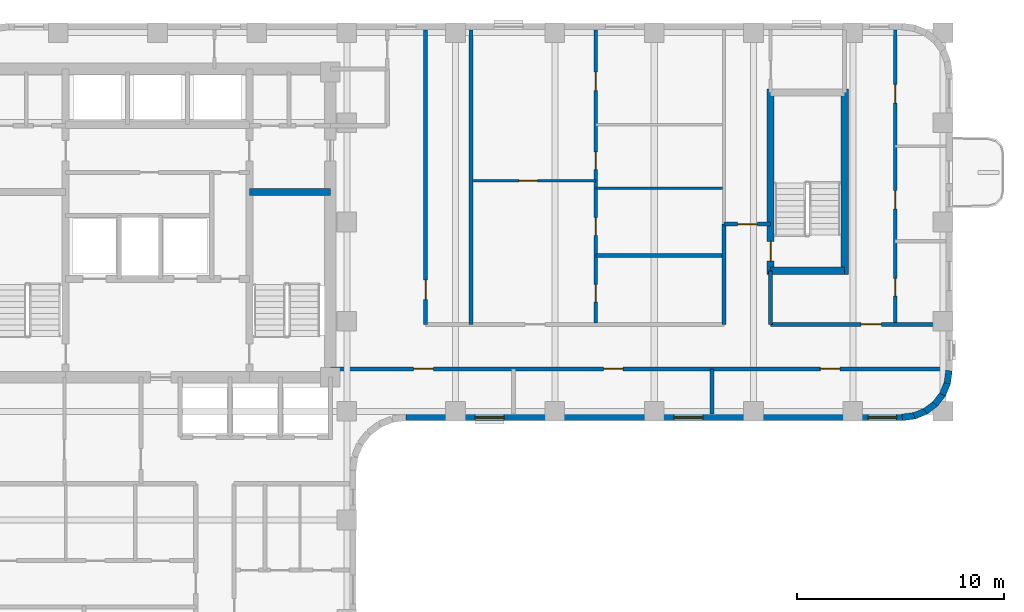
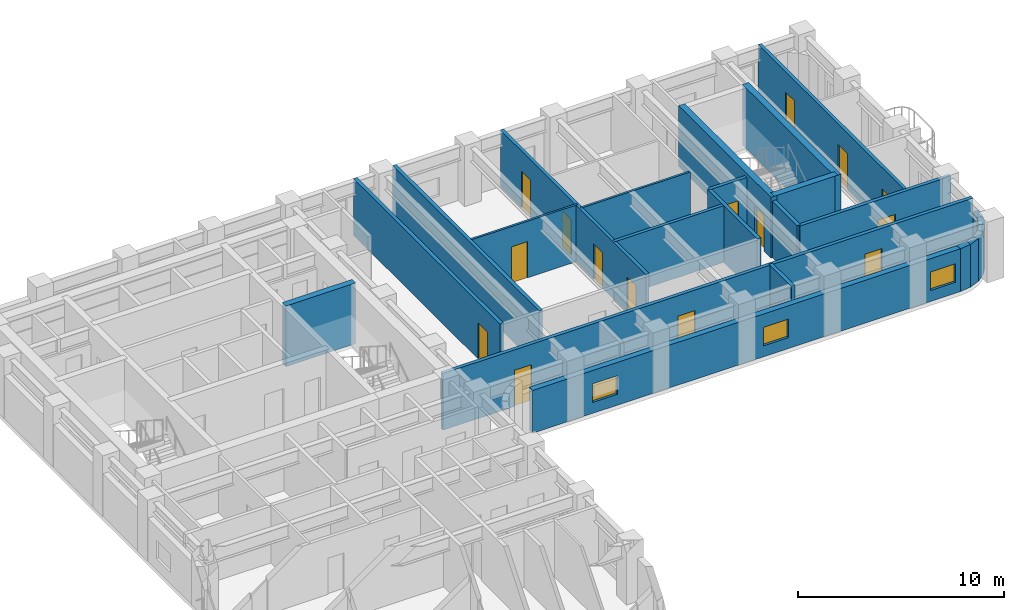
# One storey, part 5 of 10: 24 walls, 15 doors, 3 windows, 18 openings.
"""IFC4 building model written with IfcOpenShell, lengths in metres."""

from ifc_helpers import new_model, si_unit, direction, frame, frame_2d, origin, place, context, subcontext, project, spatial, rectangle, extrude, material, layer, layer_set, type_object, element, fill, save


model = new_model("IFC4")

# Units and contexts
model_context = context("Model", 3, precision=1e-05, world=origin(), true_north=direction((0.0, 1.0)))
body_context = subcontext(model_context, "Body", "Model", "MODEL_VIEW")
ifc_project = project(units=[si_unit("LENGTHUNIT", "METRE"), si_unit("AREAUNIT", "SQUARE_METRE"), si_unit("VOLUMEUNIT", "CUBIC_METRE"), si_unit("PLANEANGLEUNIT", "RADIAN"), si_unit("MASSUNIT", "GRAM", prefix="KILO")], contexts=[model_context])

# Site, building, storey
site_placement = place(None, origin())
site = spatial("IfcSite", under=ifc_project, at=site_placement, CompositionType="ELEMENT")
building_placement = place(site_placement, origin())
building = spatial("IfcBuilding", under=site, at=building_placement, Name="Orvandelia Arch Residences", CompositionType="ELEMENT")
storey_placement = place(building_placement, frame((0.0, 0.0, 136.0)))
storey = spatial("IfcBuildingStorey", under=building, at=storey_placement, Name="L35", CompositionType="ELEMENT", Elevation=136.0)

# Wall
ifc_material_1 = material(Name="Concrete C50/60", Category="concrete")
ifc_layer_1 = layer(ifc_material_1, 0.35009765625, Name="Concrete C50/60", Category="concrete")
ifc_layer_set_1 = layer_set([ifc_layer_1], Name="Concrete C50/60")
wall_type_1 = type_object("IfcWallType", Name="WL-CORE-350", PredefinedType="SHEAR", material=ifc_layer_set_1)
wall_1_placement = place(storey_placement, frame((18.840087890625, 39.85009765625, 0.0), z_axis=(0.0, 0.0, 1.0), x_axis=(1.0, 0.0, 0.0)))
element("IfcWall", 1, at=wall_1_placement, inside=storey, type_object=wall_type_1, Name="Core Shear Wall L35-HZ2", PredefinedType="SHEAR", context=body_context, shape_type="SweptSolid", body=[
    extrude(rectangle(XDim=3.909912109375, YDim=0.35009765625, at=frame_2d((1.955078125, 0.0))), origin(), (0.0, 0.0, 1.0), 3.60009765625),
])

# Wall, opening, door
wall_2_placement = place(storey_placement, frame((44.02001953125, 35.864990234375, 0.0), z_axis=(0.0, 0.0, 1.0), x_axis=(0.0, 1.0, 0.0)))
wall_2 = element("IfcWall", 2, at=wall_2_placement, inside=storey, type_object=wall_type_1, Name="East Stair Core Shear Wall L35-W", PredefinedType="SHEAR", context=body_context, shape_type="SweptSolid", body=[
    extrude(rectangle(XDim=8.969970703125, YDim=0.35009765625, at=frame_2d((4.48486328125, 0.0))), origin(), (0.0, 0.0, 1.0), 3.60009765625),
])
opening_1_placement = place(wall_2_placement, frame((0.64990234375, 0.0, 0.0)))
opening_1 = element("IfcOpeningElement", 3, at=opening_1_placement, cuts=wall_2, Name="Opening D7", PredefinedType="OPENING", context=body_context, shape_type="SweptSolid", body=[
    extrude(rectangle(XDim=0.949951171875, YDim=2.10009765625, at=frame_2d((0.47509765625, 1.050048828125))), frame((0.0, 0.18505859375, 0.0), z_axis=(0.0, -1.0, 0.0), x_axis=(1.0, 0.0, 0.0)), (0.0, 0.0, 1.0), 0.3701171875),
])
ifc_material_2 = material(Name="Pressurised Stairwell Fire Door")
door_type_1 = type_object("IfcDoorType", Name="DR-STAIR-950", OperationType="NOTDEFINED", PredefinedType="DOOR", material=ifc_material_2)
door_1_placement = place(opening_1_placement, origin())
door_1 = element("IfcDoor", 4, at=door_1_placement, inside=storey, type_object=door_type_1, Name="East Stairwell ST-3 Fire Door L35", OperationType="SINGLE_SWING_LEFT", OverallHeight=2.10009765625, OverallWidth=0.949951171875, PredefinedType="DOOR", context=body_context, shape_type="SweptSolid", body=[
    extrude(rectangle(XDim=0.949951171875, YDim=2.10009765625, at=frame_2d((0.47509765625, 1.050048828125))), frame((0.0, 0.02490234375, 0.0), z_axis=(0.0, -1.0, 0.0), x_axis=(1.0, 0.0, 0.0)), (0.0, 0.0, 1.0), 0.050048828125),
])
fill(opening_1, door_1)

# Walls
wall_3_placement = place(storey_placement, frame((47.60009765625, 35.864990234375, 0.0), z_axis=(0.0, 0.0, 1.0), x_axis=(0.0, 1.0, 0.0)))
element("IfcWall", 5, at=wall_3_placement, inside=storey, type_object=wall_type_1, Name="East Stair Core Shear Wall L35-E", PredefinedType="SHEAR", context=body_context, shape_type="SweptSolid", body=[
    extrude(rectangle(XDim=8.969970703125, YDim=0.35009765625, at=frame_2d((4.48486328125, 0.0))), origin(), (0.0, 0.0, 1.0), 3.60009765625),
])
wall_4_placement = place(storey_placement, frame((44.02001953125, 36.0400390625, 0.0), z_axis=(0.0, 0.0, 1.0), x_axis=(1.0, 0.0, 0.0)))
element("IfcWall", 6, at=wall_4_placement, inside=storey, type_object=wall_type_1, Name="East Stair Core Shear Wall L35-S", PredefinedType="SHEAR", context=body_context, shape_type="SweptSolid", body=[
    extrude(rectangle(XDim=3.580078125, YDim=0.35009765625, at=frame_2d((1.7900390625, 0.0))), origin(), (0.0, 0.0, 1.0), 3.60009765625),
])

# Wall, openings, doors
ifc_material_3 = material(Name="Fire-Rated Corridor Partition")
ifc_layer_2 = layer(ifc_material_3, 0.199951171875, Name="Fire-Rated Corridor Partition")
ifc_layer_set_2 = layer_set([ifc_layer_2], Name="Fire-Rated Corridor Partition")
wall_type_2 = type_object("IfcWallType", Name="WL-CORR-200", PredefinedType="PARTITIONING", material=ifc_layer_set_2)
wall_5_placement = place(storey_placement, frame((22.75, 31.300048828125, 0.0), z_axis=(0.0, 0.0, 1.0), x_axis=(1.0, 0.0, 0.0)))
wall_5 = element("IfcWall", 7, at=wall_5_placement, inside=storey, type_object=wall_type_2, Name="Interior Partition Wall WL-L35-ES-S", PredefinedType="PARTITIONING", context=body_context, shape_type="SweptSolid", body=[
    extrude(rectangle(XDim=29.72998046875, YDim=0.199951171875, at=frame_2d((14.864990234375, 0.0))), origin(), (0.0, 0.0, 1.0), 3.360107421875),
])
opening_2_placement = place(wall_5_placement, frame((4.02490234375, 0.0, 0.0)))
opening_2 = element("IfcOpeningElement", 8, at=opening_2_placement, cuts=wall_5, Name="Opening D2", PredefinedType="OPENING", context=body_context, shape_type="SweptSolid", body=[
    extrude(rectangle(XDim=0.949951171875, YDim=2.14990234375, at=frame_2d((0.47509765625, 1.074951171875))), frame((0.0, 0.10986328125, 0.0), z_axis=(0.0, -1.0, 0.0), x_axis=(1.0, 0.0, 0.0)), (0.0, 0.0, 1.0), 0.219970703125),
])
opening_3_placement = place(wall_5_placement, frame((13.199951171875, 0.0, 0.0)))
opening_3 = element("IfcOpeningElement", 9, at=opening_3_placement, cuts=wall_5, Name="Opening D2", PredefinedType="OPENING", context=body_context, shape_type="SweptSolid", body=[
    extrude(rectangle(XDim=0.949951171875, YDim=2.14990234375, at=frame_2d((0.47509765625, 1.074951171875))), frame((0.0, 0.10986328125, 0.0), z_axis=(0.0, -1.0, 0.0), x_axis=(1.0, 0.0, 0.0)), (0.0, 0.0, 1.0), 0.219970703125),
])
opening_4_placement = place(wall_5_placement, frame((23.679931640625, 0.0, 0.0)))
opening_4 = element("IfcOpeningElement", 10, at=opening_4_placement, cuts=wall_5, Name="Opening D2", PredefinedType="OPENING", context=body_context, shape_type="SweptSolid", body=[
    extrude(rectangle(XDim=0.949951171875, YDim=2.14990234375, at=frame_2d((0.47509765625, 1.074951171875))), frame((0.0, 0.10986328125, 0.0), z_axis=(0.0, -1.0, 0.0), x_axis=(1.0, 0.0, 0.0)), (0.0, 0.0, 1.0), 0.219970703125),
])
ifc_material_4 = material(Name="Solid-Core Timber Interior Fire Door", Category="wood")
door_type_2 = type_object("IfcDoorType", Name="DR-APT-950", OperationType="NOTDEFINED", PredefinedType="DOOR", material=ifc_material_4)
door_2_placement = place(opening_2_placement, origin())
door_2 = element("IfcDoor", 11, at=door_2_placement, inside=storey, type_object=door_type_2, Name="DR-L35-ESS-1", OperationType="SINGLE_SWING_LEFT", OverallHeight=2.14990234375, OverallWidth=0.949951171875, PredefinedType="DOOR", context=body_context, shape_type="SweptSolid", body=[
    extrude(rectangle(XDim=0.949951171875, YDim=2.14990234375, at=frame_2d((0.47509765625, 1.074951171875))), frame((0.0, 0.02490234375, 0.0), z_axis=(0.0, -1.0, 0.0), x_axis=(1.0, 0.0, 0.0)), (0.0, 0.0, 1.0), 0.050048828125),
])
fill(opening_2, door_2)
door_3_placement = place(opening_3_placement, origin())
door_3 = element("IfcDoor", 12, at=door_3_placement, inside=storey, type_object=door_type_2, Name="DR-L35-ESS-2", OperationType="SINGLE_SWING_RIGHT", OverallHeight=2.14990234375, OverallWidth=0.949951171875, PredefinedType="DOOR", context=body_context, shape_type="SweptSolid", body=[
    extrude(rectangle(XDim=0.949951171875, YDim=2.14990234375, at=frame_2d((0.47509765625, 1.074951171875))), frame((0.0, 0.02490234375, 0.0), z_axis=(0.0, -1.0, 0.0), x_axis=(1.0, 0.0, 0.0)), (0.0, 0.0, 1.0), 0.050048828125),
])
fill(opening_3, door_3)
door_4_placement = place(opening_4_placement, origin())
door_4 = element("IfcDoor", 13, at=door_4_placement, inside=storey, type_object=door_type_2, Name="DR-L35-ESS-3", OperationType="SINGLE_SWING_LEFT", OverallHeight=2.14990234375, OverallWidth=0.949951171875, PredefinedType="DOOR", context=body_context, shape_type="SweptSolid", body=[
    extrude(rectangle(XDim=0.949951171875, YDim=2.14990234375, at=frame_2d((0.47509765625, 1.074951171875))), frame((0.0, 0.02490234375, 0.0), z_axis=(0.0, -1.0, 0.0), x_axis=(1.0, 0.0, 0.0)), (0.0, 0.0, 1.0), 0.050048828125),
])
fill(opening_4, door_4)

# Wall, opening, door
wall_6_placement = place(storey_placement, frame((44.02001953125, 33.449951171875, 0.0), z_axis=(0.0, 0.0, 1.0), x_axis=(1.0, 0.0, 0.0)))
wall_6 = element("IfcWall", 14, at=wall_6_placement, inside=storey, type_object=wall_type_2, Name="Interior Partition Wall WL-L35-ES-N2", PredefinedType="PARTITIONING", context=body_context, shape_type="SweptSolid", body=[
    extrude(rectangle(XDim=8.4599609375, YDim=0.199951171875, at=frame_2d((4.22998046875, 0.0))), origin(), (0.0, 0.0, 1.0), 3.360107421875),
])
opening_5_placement = place(wall_6_placement, frame((4.37158203125, 0.0, 0.0)))
opening_5 = element("IfcOpeningElement", 15, at=opening_5_placement, cuts=wall_6, Name="Opening D1", PredefinedType="OPENING", context=body_context, shape_type="SweptSolid", body=[
    extrude(rectangle(XDim=0.97998046875, YDim=2.179931640625, at=frame_2d((0.489990234375, 1.08984375))), frame((0.0, 0.10986328125, 0.0), z_axis=(0.0, -1.0, 0.0), x_axis=(1.0, 0.0, 0.0)), (0.0, 0.0, 1.0), 0.219970703125),
])
ifc_material_5 = material(Name="Solid-Core Timber Acoustic Fire Door", Category="wood")
door_type_3 = type_object("IfcDoorType", Name="DR-ENT-980", OperationType="NOTDEFINED", PredefinedType="DOOR", material=ifc_material_5)
door_5_placement = place(opening_5_placement, origin())
door_5 = element("IfcDoor", 16, at=door_5_placement, inside=storey, type_object=door_type_3, Name="Unit L35-07 Entrance Door", OperationType="SINGLE_SWING_LEFT", OverallHeight=2.179931640625, OverallWidth=0.97998046875, PredefinedType="DOOR", context=body_context, shape_type="SweptSolid", body=[
    extrude(rectangle(XDim=0.97998046875, YDim=2.179931640625, at=frame_2d((0.489990234375, 1.08984375))), frame((0.0, 0.02490234375, 0.0), z_axis=(0.0, -1.0, 0.0), x_axis=(1.0, 0.0, 0.0)), (0.0, 0.0, 1.0), 0.050048828125),
])
fill(opening_5, door_5)

wall_7_placement = place(storey_placement, frame((27.35009765625, 33.449951171875, 0.0), z_axis=(0.0, 0.0, 1.0), x_axis=(0.0, 1.0, 0.0)))
wall_7 = element("IfcWall", 17, at=wall_7_placement, inside=storey, type_object=wall_type_2, Name="Interior Partition Wall WL-L35-ES-NCE", PredefinedType="PARTITIONING", context=body_context, shape_type="SweptSolid", body=[
    extrude(rectangle(XDim=14.22998046875, YDim=0.199951171875, at=frame_2d((7.114990234375, 0.0))), origin(), (0.0, 0.0, 1.0), 3.360107421875),
])
opening_6_placement = place(wall_7_placement, frame((1.199951171875, 0.0, 0.0)))
opening_6 = element("IfcOpeningElement", 18, at=opening_6_placement, cuts=wall_7, Name="Opening D2", PredefinedType="OPENING", context=body_context, shape_type="SweptSolid", body=[
    extrude(rectangle(XDim=0.949951171875, YDim=2.14990234375, at=frame_2d((0.47509765625, 1.074951171875))), frame((0.0, 0.10986328125, 0.0), z_axis=(0.0, -1.0, 0.0), x_axis=(1.0, 0.0, 0.0)), (0.0, 0.0, 1.0), 0.219970703125),
])
door_6_placement = place(opening_6_placement, origin())
door_6 = element("IfcDoor", 19, at=door_6_placement, inside=storey, type_object=door_type_2, Name="DR-L35-ESLDY", OperationType="SINGLE_SWING_RIGHT", OverallHeight=2.14990234375, OverallWidth=0.949951171875, PredefinedType="DOOR", context=body_context, shape_type="SweptSolid", body=[
    extrude(rectangle(XDim=0.949951171875, YDim=2.14990234375, at=frame_2d((0.47509765625, 1.074951171875))), frame((0.0, 0.02490234375, 0.0), z_axis=(0.0, -1.0, 0.0), x_axis=(1.0, 0.0, 0.0)), (0.0, 0.0, 1.0), 0.050048828125),
])
fill(opening_6, door_6)

# Wall
wall_8_placement = place(storey_placement, frame((41.780029296875, 33.449951171875, 0.0), z_axis=(0.0, 0.0, 1.0), x_axis=(0.0, 1.0, 0.0)))
element("IfcWall", 20, at=wall_8_placement, inside=storey, type_object=wall_type_2, Name="Interior Partition Wall WL-L35-ES-SW", PredefinedType="PARTITIONING", context=body_context, shape_type="SweptSolid", body=[
    extrude(rectangle(XDim=4.85009765625, YDim=0.199951171875, at=frame_2d((2.425048828125, 0.0))), origin(), (0.0, 0.0, 1.0), 3.360107421875),
])

# Wall, opening, door
wall_9_placement = place(storey_placement, frame((41.780029296875, 38.300048828125, 0.0), z_axis=(0.0, 0.0, 1.0), x_axis=(1.0, 0.0, 0.0)))
wall_9 = element("IfcWall", 21, at=wall_9_placement, inside=storey, type_object=wall_type_2, Name="Interior Partition Wall WL-L35-ES-SN", PredefinedType="PARTITIONING", context=body_context, shape_type="SweptSolid", body=[
    extrude(rectangle(XDim=2.239990234375, YDim=0.199951171875, at=frame_2d((1.1201171875, 0.0))), origin(), (0.0, 0.0, 1.0), 3.360107421875),
])
opening_7_placement = place(wall_9_placement, frame((0.64990234375, 0.0, 0.0)))
opening_7 = element("IfcOpeningElement", 22, at=opening_7_placement, cuts=wall_9, Name="Opening D2", PredefinedType="OPENING", context=body_context, shape_type="SweptSolid", body=[
    extrude(rectangle(XDim=0.949951171875, YDim=2.14990234375, at=frame_2d((0.47509765625, 1.074951171875))), frame((0.0, 0.10986328125, 0.0), z_axis=(0.0, -1.0, 0.0), x_axis=(1.0, 0.0, 0.0)), (0.0, 0.0, 1.0), 0.219970703125),
])
door_7_placement = place(opening_7_placement, origin())
door_7 = element("IfcDoor", 23, at=door_7_placement, inside=storey, type_object=door_type_2, Name="DR-L35-ESSPK", OperationType="SINGLE_SWING_LEFT", OverallHeight=2.14990234375, OverallWidth=0.949951171875, PredefinedType="DOOR", context=body_context, shape_type="SweptSolid", body=[
    extrude(rectangle(XDim=0.949951171875, YDim=2.14990234375, at=frame_2d((0.47509765625, 1.074951171875))), frame((0.0, 0.02490234375, 0.0), z_axis=(0.0, -1.0, 0.0), x_axis=(1.0, 0.0, 0.0)), (0.0, 0.0, 1.0), 0.050048828125),
])
fill(opening_7, door_7)

# Walls
ifc_material_6 = material(Name="Concrete C40/50", Category="concrete")
ifc_layer_3 = layer(ifc_material_6, 0.199951171875, Name="Concrete C40/50", Category="concrete")
ifc_layer_set_3 = layer_set([ifc_layer_3], Name="Concrete C40/50")
wall_type_3 = type_object("IfcWallType", Name="WL-DEM-200", PredefinedType="SOLIDWALL", material=ifc_layer_set_3)
wall_10_placement = place(storey_placement, frame((41.199951171875, 29.1201171875, 0.0), z_axis=(0.0, 0.0, 1.0), x_axis=(0.0, 1.0, 0.0)))
element("IfcWall", 24, at=wall_10_placement, inside=storey, type_object=wall_type_3, Name="Interior Partition Wall WL-L35-ESSD-2", PredefinedType="SOLIDWALL", context=body_context, shape_type="SweptSolid", body=[
    extrude(rectangle(XDim=2.179931640625, YDim=0.199951171875, at=frame_2d((1.08984375, 0.0))), origin(), (0.0, 0.0, 1.0), 3.360107421875),
])
wall_11_placement = place(storey_placement, frame((29.550048828125, 33.449951171875, 0.0), z_axis=(0.0, 0.0, 1.0), x_axis=(0.0, 1.0, 0.0)))
element("IfcWall", 25, at=wall_11_placement, inside=storey, type_object=wall_type_3, Name="Interior Partition Wall WL-L35-ES-LDE", PredefinedType="SOLIDWALL", context=body_context, shape_type="SweptSolid", body=[
    extrude(rectangle(XDim=14.22998046875, YDim=0.199951171875, at=frame_2d((7.114990234375, 0.0))), origin(), (0.0, 0.0, 1.0), 3.360107421875),
])
wall_12_placement = place(storey_placement, frame((44.02001953125, 33.449951171875, 0.0), z_axis=(0.0, 0.0, 1.0), x_axis=(0.0, 1.0, 0.0)))
element("IfcWall", 26, at=wall_12_placement, inside=storey, type_object=wall_type_3, Name="Interior Partition Wall WL-L35-ES-NST3S", PredefinedType="SOLIDWALL", context=body_context, shape_type="SweptSolid", body=[
    extrude(rectangle(XDim=2.590087890625, YDim=0.199951171875, at=frame_2d((1.294921875, 0.0))), origin(), (0.0, 0.0, 1.0), 3.360107421875),
])
ifc_material_7 = material(Name="Precast concrete C40/50", Category="concrete")
ifc_layer_4 = layer(ifc_material_7, 0.320068359375, Name="Precast concrete C40/50", Category="concrete")
ifc_layer_set_4 = layer_set([ifc_layer_4], Name="Precast concrete C40/50")
wall_type_4 = type_object("IfcWallType", Name="WL-EXT-STONE-320", PredefinedType="STANDARD", material=ifc_layer_set_4)
wall_13_placement = place(storey_placement, frame((52.641357421875, 31.220947265625, 0.0), z_axis=(0.0, 0.0, 1.0), x_axis=(-0.130504898859, -0.991447664465, 0.0)))
element("IfcWall", 27, at=wall_13_placement, inside=storey, type_object=wall_type_4, Name="Coral-Limestone Precast Facade Wall L35-015", PredefinedType="STANDARD", context=body_context, shape_type="SweptSolid", body=[
    extrude(rectangle(XDim=0.626708984375, YDim=0.320068359375, at=frame_2d((0.3134765625, 0.0))), origin(), (0.0, 0.0, 1.0), 2.5400390625),
])
wall_14_placement = place(storey_placement, frame((52.5703125, 30.639892578125, 0.0), z_axis=(0.0, 0.0, 1.0), x_axis=(-0.382455093999, -0.923974080304, 0.0)))
element("IfcWall", 28, at=wall_14_placement, inside=storey, type_object=wall_type_4, Name="Coral-Limestone Precast Facade Wall L35-016", PredefinedType="STANDARD", context=body_context, shape_type="SweptSolid", body=[
    extrude(rectangle(XDim=0.626220703125, YDim=0.320068359375, at=frame_2d((0.31298828125, 0.0))), origin(), (0.0, 0.0, 1.0), 2.5400390625),
])
wall_15_placement = place(storey_placement, frame((52.3515625, 30.097412109375, 0.0), z_axis=(0.0, 0.0, 1.0), x_axis=(-0.608693302629, -0.793405610854, 0.0)))
element("IfcWall", 29, at=wall_15_placement, inside=storey, type_object=wall_type_4, Name="Coral-Limestone Precast Facade Wall L35-017", PredefinedType="STANDARD", context=body_context, shape_type="SweptSolid", body=[
    extrude(rectangle(XDim=0.62646484375, YDim=0.320068359375, at=frame_2d((0.313232421875, 0.0))), origin(), (0.0, 0.0, 1.0), 2.5400390625),
])
wall_16_placement = place(storey_placement, frame((51.999755859375, 29.6298828125, 0.0), z_axis=(0.0, 0.0, 1.0), x_axis=(-0.7932174212, -0.608938521285, 0.0)))
element("IfcWall", 30, at=wall_16_placement, inside=storey, type_object=wall_type_4, Name="Coral-Limestone Precast Facade Wall L35-018", PredefinedType="STANDARD", context=body_context, shape_type="SweptSolid", body=[
    extrude(rectangle(XDim=0.626708984375, YDim=0.320068359375, at=frame_2d((0.3134765625, 0.0))), origin(), (0.0, 0.0, 1.0), 2.5400390625),
])
for number, where, z_axis, x_axis, name in (
    (31, (51.538818359375, 29.269287109375, 0.0), (0.0, 0.0, 1.0), (-0.92389335771, -0.382650053678, 0.0), "Coral-Limestone Precast Facade Wall L35-019"),
    (32, (51.000244140625, 29.040283203125, 0.0), (0.0, 0.0, 1.0), (-0.9914410257, -0.130555323746, 0.0), "Coral-Limestone Precast Facade Wall L35-020"),
):
    element("IfcWall", number, at=place(storey_placement, frame(where, z_axis=z_axis, x_axis=x_axis)), inside=storey, type_object=wall_type_4, Name=name, PredefinedType="STANDARD", context=body_context, shape_type="SweptSolid", body=[
        extrude(rectangle(XDim=0.62646484375, YDim=0.320068359375, at=frame_2d((0.313232421875, 0.0))), origin(), (0.0, 0.0, 1.0), 2.5400390625),
    ])

# Wall, openings, windows
wall_17_placement = place(storey_placement, frame((50.39990234375, 28.9599609375, 0.0), z_axis=(0.0, 0.0, 1.0), x_axis=(-1.0, 0.0, 0.0)))
wall_17 = element("IfcWall", 33, at=wall_17_placement, inside=storey, type_object=wall_type_4, Name="Coral-Limestone Precast Facade Wall L35-021", PredefinedType="STANDARD", context=body_context, shape_type="SweptSolid", body=[
    extrude(rectangle(XDim=24.0, YDim=0.320068359375, at=frame_2d((12.0, 0.0))), origin(), (0.0, 0.0, 1.0), 2.5400390625),
])
opening_8_placement = place(wall_17_placement, frame((19.25244140625, 0.0, 0.64990234375)))
opening_8 = element("IfcOpeningElement", 34, at=opening_8_placement, cuts=wall_17, Name="Opening W10", PredefinedType="OPENING", context=body_context, shape_type="SweptSolid", body=[
    extrude(rectangle(XDim=1.39990234375, YDim=1.10009765625, at=frame_2d((0.699951171875, 0.550048828125))), frame((0.0, 0.169921875, 0.0), z_axis=(0.0, -1.0, 0.0), x_axis=(1.0, 0.0, 0.0)), (0.0, 0.0, 1.0), 0.340087890625),
])
opening_9_placement = place(wall_17_placement, frame((9.652587890625, 0.0, 0.64990234375)))
opening_9 = element("IfcOpeningElement", 35, at=opening_9_placement, cuts=wall_17, Name="Opening W10", PredefinedType="OPENING", context=body_context, shape_type="SweptSolid", body=[
    extrude(rectangle(XDim=1.39990234375, YDim=1.10009765625, at=frame_2d((0.699951171875, 0.550048828125))), frame((0.0, 0.169921875, 0.0), z_axis=(0.0, -1.0, 0.0), x_axis=(1.0, 0.0, 0.0)), (0.0, 0.0, 1.0), 0.340087890625),
])
opening_10_placement = place(wall_17_placement, frame((0.282470703125, 0.0, 0.64990234375)))
opening_10 = element("IfcOpeningElement", 36, at=opening_10_placement, cuts=wall_17, Name="Opening W10", PredefinedType="OPENING", context=body_context, shape_type="SweptSolid", body=[
    extrude(rectangle(XDim=1.39990234375, YDim=1.10009765625, at=frame_2d((0.699951171875, 0.550048828125))), frame((0.0, 0.169921875, 0.0), z_axis=(0.0, -1.0, 0.0), x_axis=(1.0, 0.0, 0.0)), (0.0, 0.0, 1.0), 0.340087890625),
])
ifc_material_8 = material(Name="Tempered Low-E Insulated Glazing", Category="glass")
window_type = type_object("IfcWindowType", Name="WIN-CLR-1400x1100", PartitioningType="SINGLE_PANEL", PredefinedType="WINDOW", material=ifc_material_8)
window_1_placement = place(opening_8_placement, origin())
window_1 = element("IfcWindow", 37, at=window_1_placement, inside=storey, type_object=window_type, Name="Recessed Punched Window L35-012", OverallHeight=1.10009765625, OverallWidth=1.39990234375, PartitioningType="SINGLE_PANEL", PredefinedType="WINDOW", context=body_context, shape_type="SweptSolid", body=[
    extrude(rectangle(XDim=1.39990234375, YDim=1.10009765625, at=frame_2d((0.699951171875, 0.550048828125))), frame((0.0, 0.030029296875, 0.0), z_axis=(0.0, -1.0, 0.0), x_axis=(1.0, 0.0, 0.0)), (0.0, 0.0, 1.0), 0.06005859375),
])
fill(opening_8, window_1)
window_2_placement = place(opening_9_placement, origin())
window_2 = element("IfcWindow", 38, at=window_2_placement, inside=storey, type_object=window_type, Name="Recessed Punched Window L35-013", OverallHeight=1.10009765625, OverallWidth=1.39990234375, PartitioningType="SINGLE_PANEL", PredefinedType="WINDOW", context=body_context, shape_type="SweptSolid", body=[
    extrude(rectangle(XDim=1.39990234375, YDim=1.10009765625, at=frame_2d((0.699951171875, 0.550048828125))), frame((0.0, 0.030029296875, 0.0), z_axis=(0.0, -1.0, 0.0), x_axis=(1.0, 0.0, 0.0)), (0.0, 0.0, 1.0), 0.06005859375),
])
fill(opening_9, window_2)
window_3_placement = place(opening_10_placement, origin())
window_3 = element("IfcWindow", 39, at=window_3_placement, inside=storey, type_object=window_type, Name="Recessed Punched Window L35-014", OverallHeight=1.10009765625, OverallWidth=1.39990234375, PartitioningType="SINGLE_PANEL", PredefinedType="WINDOW", context=body_context, shape_type="SweptSolid", body=[
    extrude(rectangle(XDim=1.39990234375, YDim=1.10009765625, at=frame_2d((0.699951171875, 0.550048828125))), frame((0.0, 0.030029296875, 0.0), z_axis=(0.0, -1.0, 0.0), x_axis=(1.0, 0.0, 0.0)), (0.0, 0.0, 1.0), 0.06005859375),
])
fill(opening_10, window_3)

# Wall, opening, door
ifc_material_9 = material(Name="Lightweight Gypsum Stud Partition")
ifc_layer_5 = layer(ifc_material_9, 0.1201171875, Name="Lightweight Gypsum Stud Partition")
ifc_layer_set_5 = layer_set([ifc_layer_5], Name="Lightweight Gypsum Stud Partition")
wall_type_5 = type_object("IfcWallType", Name="WL-PART-120", PredefinedType="PARTITIONING", material=ifc_layer_set_5)
wall_18_placement = place(storey_placement, frame((29.6298828125, 40.382080078125, 0.0), z_axis=(0.0, 0.0, 1.0), x_axis=(1.0, 0.0, 0.0)))
wall_18 = element("IfcWall", 40, at=wall_18_placement, inside=storey, type_object=wall_type_5, Name="Interior Partition Wall WL-L35-U06-DIN", PredefinedType="PARTITIONING", context=body_context, shape_type="SweptSolid", body=[
    extrude(rectangle(XDim=5.947021484375, YDim=0.1201171875, at=frame_2d((2.9736328125, 0.0))), origin(), (0.0, 0.0, 1.0), 3.360107421875),
])
opening_11_placement = place(wall_18_placement, frame((2.235107421875, 0.0, 0.0)))
opening_11 = element("IfcOpeningElement", 41, at=opening_11_placement, cuts=wall_18, Name="Opening D3", PredefinedType="OPENING", context=body_context, shape_type="SweptSolid", body=[
    extrude(rectangle(XDim=0.89990234375, YDim=2.14990234375, at=frame_2d((0.449951171875, 1.074951171875))), frame((0.0, 0.070068359375, 0.0), z_axis=(0.0, -1.0, 0.0), x_axis=(1.0, 0.0, 0.0)), (0.0, 0.0, 1.0), 0.14013671875),
])
ifc_material_10 = material(Name="Engineered Timber Flush Door", Category="wood")
door_type_4 = type_object("IfcDoorType", Name="DR-INT-900", OperationType="NOTDEFINED", PredefinedType="DOOR", material=ifc_material_10)
door_8_placement = place(opening_11_placement, origin())
door_8 = element("IfcDoor", 42, at=door_8_placement, inside=storey, type_object=door_type_4, Name="DR-L35-U06-DIN", OperationType="SINGLE_SWING_LEFT", OverallHeight=2.14990234375, OverallWidth=0.89990234375, PredefinedType="DOOR", context=body_context, shape_type="SweptSolid", body=[
    extrude(rectangle(XDim=0.89990234375, YDim=2.14990234375, at=frame_2d((0.449951171875, 1.074951171875))), frame((0.0, 0.02490234375, 0.0), z_axis=(0.0, -1.0, 0.0), x_axis=(1.0, 0.0, 0.0)), (0.0, 0.0, 1.0), 0.050048828125),
])
fill(opening_11, door_8)

# Wall
wall_19_placement = place(storey_placement, frame((35.576904296875, 40.0419921875, 0.0), z_axis=(0.0, 0.0, 1.0), x_axis=(1.0, 0.0, 0.0)))
element("IfcWall", 43, at=wall_19_placement, inside=storey, type_object=wall_type_5, Name="Interior Partition Wall WL-L35-U06-H1B", PredefinedType="PARTITIONING", context=body_context, shape_type="SweptSolid", body=[
    extrude(rectangle(XDim=6.123046875, YDim=0.1201171875, at=frame_2d((3.0615234375, 0.0))), origin(), (0.0, 0.0, 1.0), 3.360107421875),
])

# Wall, openings, doors
ifc_material_11 = material(Name="Moisture-Resistant Plumbing Wall")
ifc_layer_6 = layer(ifc_material_11, 0.179931640625, Name="Moisture-Resistant Plumbing Wall")
ifc_layer_set_6 = layer_set([ifc_layer_6], Name="Moisture-Resistant Plumbing Wall")
wall_type_6 = type_object("IfcWallType", Name="WL-WET-180", PredefinedType="PLUMBINGWALL", material=ifc_layer_set_6)
wall_20_placement = place(storey_placement, frame((35.576904296875, 33.530029296875, 0.0), z_axis=(0.0, 0.0, 1.0), x_axis=(0.0, 1.0, 0.0)))
wall_20 = element("IfcWall", 44, at=wall_20_placement, inside=storey, type_object=wall_type_6, Name="Interior Partition Wall WL-L35-U06-VT", PredefinedType="PLUMBINGWALL", context=body_context, shape_type="SweptSolid", body=[
    extrude(rectangle(XDim=14.14990234375, YDim=0.179931640625, at=frame_2d((7.074951171875, 0.0))), origin(), (0.0, 0.0, 1.0), 3.360107421875),
])
opening_12_placement = place(wall_20_placement, frame((0.99267578125, 0.0, 0.0)))
opening_12 = element("IfcOpeningElement", 45, at=opening_12_placement, cuts=wall_20, Name="Opening D4", PredefinedType="OPENING", context=body_context, shape_type="SweptSolid", body=[
    extrude(rectangle(XDim=0.860107421875, YDim=2.10009765625, at=frame_2d((0.43017578125, 1.050048828125))), frame((0.0, 0.10009765625, 0.0), z_axis=(0.0, -1.0, 0.0), x_axis=(1.0, 0.0, 0.0)), (0.0, 0.0, 1.0), 0.199951171875),
])
opening_13_placement = place(wall_20_placement, frame((4.226318359375, 0.0, 0.0)))
opening_13 = element("IfcOpeningElement", 46, at=opening_13_placement, cuts=wall_20, Name="Opening D4", PredefinedType="OPENING", context=body_context, shape_type="SweptSolid", body=[
    extrude(rectangle(XDim=0.860107421875, YDim=2.10009765625, at=frame_2d((0.43017578125, 1.050048828125))), frame((0.0, 0.10009765625, 0.0), z_axis=(0.0, -1.0, 0.0), x_axis=(1.0, 0.0, 0.0)), (0.0, 0.0, 1.0), 0.199951171875),
])
opening_14_placement = place(wall_20_placement, frame((7.396240234375, 0.0, 0.0)))
opening_14 = element("IfcOpeningElement", 47, at=opening_14_placement, cuts=wall_20, Name="Opening D4", PredefinedType="OPENING", context=body_context, shape_type="SweptSolid", body=[
    extrude(rectangle(XDim=0.860107421875, YDim=2.10009765625, at=frame_2d((0.43017578125, 1.050048828125))), frame((0.0, 0.10009765625, 0.0), z_axis=(0.0, -1.0, 0.0), x_axis=(1.0, 0.0, 0.0)), (0.0, 0.0, 1.0), 0.199951171875),
])
opening_15_placement = place(wall_20_placement, frame((11.2119140625, 0.0, 0.0)))
opening_15 = element("IfcOpeningElement", 48, at=opening_15_placement, cuts=wall_20, Name="Opening D3", PredefinedType="OPENING", context=body_context, shape_type="SweptSolid", body=[
    extrude(rectangle(XDim=0.89990234375, YDim=2.14990234375, at=frame_2d((0.449951171875, 1.074951171875))), frame((0.0, 0.10009765625, 0.0), z_axis=(0.0, -1.0, 0.0), x_axis=(1.0, 0.0, 0.0)), (0.0, 0.0, 1.0), 0.199951171875),
])
door_9_placement = place(opening_15_placement, origin())
door_9 = element("IfcDoor", 49, at=door_9_placement, inside=storey, type_object=door_type_4, Name="DR-L35-U06-BD1", OperationType="SINGLE_SWING_RIGHT", OverallHeight=2.14990234375, OverallWidth=0.89990234375, PredefinedType="DOOR", context=body_context, shape_type="SweptSolid", body=[
    extrude(rectangle(XDim=0.89990234375, YDim=2.14990234375, at=frame_2d((0.449951171875, 1.074951171875))), frame((0.0, 0.02490234375, 0.0), z_axis=(0.0, -1.0, 0.0), x_axis=(1.0, 0.0, 0.0)), (0.0, 0.0, 1.0), 0.050048828125),
])
fill(opening_15, door_9)
ifc_material_12 = material(Name="Moisture-Sealed Timber Bathroom Door", Category="wood")
door_type_5 = type_object("IfcDoorType", Name="DR-WET-900", OperationType="NOTDEFINED", PredefinedType="DOOR", material=ifc_material_12)
door_10_placement = place(opening_12_placement, origin())
door_10 = element("IfcDoor", 50, at=door_10_placement, inside=storey, type_object=door_type_5, Name="DR-L35-U06-BTH", OperationType="SINGLE_SWING_LEFT", OverallHeight=2.10009765625, OverallWidth=0.860107421875, PredefinedType="DOOR", context=body_context, shape_type="SweptSolid", body=[
    extrude(rectangle(XDim=0.860107421875, YDim=2.10009765625, at=frame_2d((0.43017578125, 1.050048828125))), frame((0.0, 0.02490234375, 0.0), z_axis=(0.0, -1.0, 0.0), x_axis=(1.0, 0.0, 0.0)), (0.0, 0.0, 1.0), 0.050048828125),
])
fill(opening_12, door_10)
door_11_placement = place(opening_13_placement, origin())
door_11 = element("IfcDoor", 51, at=door_11_placement, inside=storey, type_object=door_type_5, Name="DR-L35-U06-KIT", OperationType="SINGLE_SWING_RIGHT", OverallHeight=2.10009765625, OverallWidth=0.860107421875, PredefinedType="DOOR", context=body_context, shape_type="SweptSolid", body=[
    extrude(rectangle(XDim=0.860107421875, YDim=2.10009765625, at=frame_2d((0.43017578125, 1.050048828125))), frame((0.0, 0.02490234375, 0.0), z_axis=(0.0, -1.0, 0.0), x_axis=(1.0, 0.0, 0.0)), (0.0, 0.0, 1.0), 0.050048828125),
])
fill(opening_13, door_11)
door_12_placement = place(opening_14_placement, origin())
door_12 = element("IfcDoor", 52, at=door_12_placement, inside=storey, type_object=door_type_5, Name="DR-L35-U06-STDY", OperationType="SINGLE_SWING_LEFT", OverallHeight=2.10009765625, OverallWidth=0.860107421875, PredefinedType="DOOR", context=body_context, shape_type="SweptSolid", body=[
    extrude(rectangle(XDim=0.860107421875, YDim=2.10009765625, at=frame_2d((0.43017578125, 1.050048828125))), frame((0.0, 0.02490234375, 0.0), z_axis=(0.0, -1.0, 0.0), x_axis=(1.0, 0.0, 0.0)), (0.0, 0.0, 1.0), 0.050048828125),
])
fill(opening_14, door_12)

# Wall
wall_21_placement = place(storey_placement, frame((35.576904296875, 36.785888671875, 0.0), z_axis=(0.0, 0.0, 1.0), x_axis=(1.0, 0.0, 0.0)))
element("IfcWall", 53, at=wall_21_placement, inside=storey, type_object=wall_type_6, Name="Interior Partition Wall WL-L35-U06-H1", PredefinedType="PLUMBINGWALL", context=body_context, shape_type="SweptSolid", body=[
    extrude(rectangle(XDim=6.123046875, YDim=0.179931640625, at=frame_2d((3.0615234375, 0.0))), origin(), (0.0, 0.0, 1.0), 3.360107421875),
])

# Wall, openings, doors
wall_22_placement = place(storey_placement, frame((50.04296875, 33.550048828125, 0.0), z_axis=(0.0, 0.0, 1.0), x_axis=(0.0, 1.0, 0.0)))
wall_22 = element("IfcWall", 54, at=wall_22_placement, inside=storey, type_object=wall_type_6, Name="Interior Partition Wall WL-L35-U07-VT", PredefinedType="PLUMBINGWALL", context=body_context, shape_type="SweptSolid", body=[
    extrude(rectangle(XDim=14.1298828125, YDim=0.179931640625, at=frame_2d((7.06494140625, 0.0))), origin(), (0.0, 0.0, 1.0), 3.360107421875),
])
opening_16_placement = place(wall_22_placement, frame((1.26708984375, 0.0, 0.0)))
opening_16 = element("IfcOpeningElement", 55, at=opening_16_placement, cuts=wall_22, Name="Opening D4", PredefinedType="OPENING", context=body_context, shape_type="SweptSolid", body=[
    extrude(rectangle(XDim=0.860107421875, YDim=2.10009765625, at=frame_2d((0.43017578125, 1.050048828125))), frame((0.0, 0.10009765625, 0.0), z_axis=(0.0, -1.0, 0.0), x_axis=(1.0, 0.0, 0.0)), (0.0, 0.0, 1.0), 0.199951171875),
])
opening_17_placement = place(wall_22_placement, frame((5.467529296875, 0.0, 0.0)))
opening_17 = element("IfcOpeningElement", 56, at=opening_17_placement, cuts=wall_22, Name="Opening D3", PredefinedType="OPENING", context=body_context, shape_type="SweptSolid", body=[
    extrude(rectangle(XDim=0.89990234375, YDim=2.14990234375, at=frame_2d((0.449951171875, 1.074951171875))), frame((0.0, 0.10009765625, 0.0), z_axis=(0.0, -1.0, 0.0), x_axis=(1.0, 0.0, 0.0)), (0.0, 0.0, 1.0), 0.199951171875),
])
opening_18_placement = place(wall_22_placement, frame((10.595703125, 0.0, 0.0)))
opening_18 = element("IfcOpeningElement", 57, at=opening_18_placement, cuts=wall_22, Name="Opening D3", PredefinedType="OPENING", context=body_context, shape_type="SweptSolid", body=[
    extrude(rectangle(XDim=0.89990234375, YDim=2.14990234375, at=frame_2d((0.449951171875, 1.074951171875))), frame((0.0, 0.10009765625, 0.0), z_axis=(0.0, -1.0, 0.0), x_axis=(1.0, 0.0, 0.0)), (0.0, 0.0, 1.0), 0.199951171875),
])
door_13_placement = place(opening_17_placement, origin())
door_13 = element("IfcDoor", 58, at=door_13_placement, inside=storey, type_object=door_type_4, Name="DR-L35-U07-KIT", OperationType="SINGLE_SWING_LEFT", OverallHeight=2.14990234375, OverallWidth=0.89990234375, PredefinedType="DOOR", context=body_context, shape_type="SweptSolid", body=[
    extrude(rectangle(XDim=0.89990234375, YDim=2.14990234375, at=frame_2d((0.449951171875, 1.074951171875))), frame((0.0, 0.02490234375, 0.0), z_axis=(0.0, -1.0, 0.0), x_axis=(1.0, 0.0, 0.0)), (0.0, 0.0, 1.0), 0.050048828125),
])
fill(opening_17, door_13)
door_14_placement = place(opening_18_placement, origin())
door_14 = element("IfcDoor", 59, at=door_14_placement, inside=storey, type_object=door_type_4, Name="DR-L35-U07-BD1", OperationType="SINGLE_SWING_RIGHT", OverallHeight=2.14990234375, OverallWidth=0.89990234375, PredefinedType="DOOR", context=body_context, shape_type="SweptSolid", body=[
    extrude(rectangle(XDim=0.89990234375, YDim=2.14990234375, at=frame_2d((0.449951171875, 1.074951171875))), frame((0.0, 0.02490234375, 0.0), z_axis=(0.0, -1.0, 0.0), x_axis=(1.0, 0.0, 0.0)), (0.0, 0.0, 1.0), 0.050048828125),
])
fill(opening_18, door_14)
door_15_placement = place(opening_16_placement, origin())
door_15 = element("IfcDoor", 60, at=door_15_placement, inside=storey, type_object=door_type_5, Name="DR-L35-U07-BTH", OperationType="SINGLE_SWING_RIGHT", OverallHeight=2.10009765625, OverallWidth=0.860107421875, PredefinedType="DOOR", context=body_context, shape_type="SweptSolid", body=[
    extrude(rectangle(XDim=0.860107421875, YDim=2.10009765625, at=frame_2d((0.43017578125, 1.050048828125))), frame((0.0, 0.02490234375, 0.0), z_axis=(0.0, -1.0, 0.0), x_axis=(1.0, 0.0, 0.0)), (0.0, 0.0, 1.0), 0.050048828125),
])
fill(opening_16, door_15)

save(model, "model.ifc")
